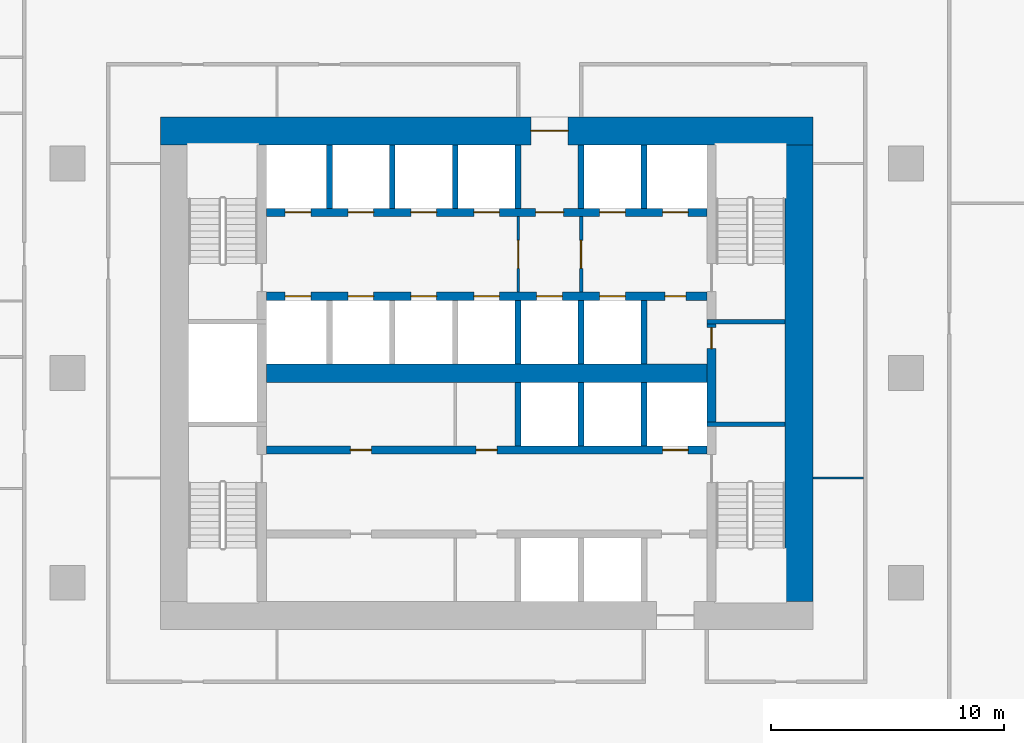
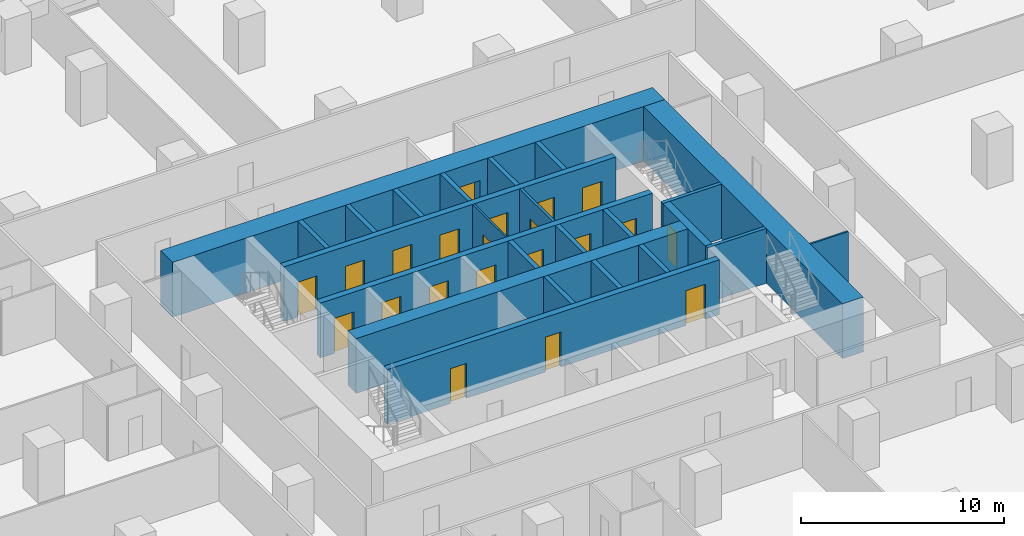
# One storey, part 16 of 25: 24 walls, 21 doors, 21 openings.
"""IFC4 building model written with IfcOpenShell, lengths in metres."""

import ifcopenshell
import ifcopenshell.guid

model = None  # the IFC model being written
_history = None  # IfcOwnerHistory: only IFC2X3 demands one
_inside = {}  # id of a spatial element -> (the spatial element, [elements in it])
_under = {}  # id of a project, library or spatial element -> (it, [spatial elements below it])
_declared = {}  # id of a project -> (the project, [libraries it declares])
_typed = {}  # id of a type object -> (the type object, [elements of that type])
_made_of = {}  # id of a material, layer set ... -> (it, [elements and type objects made of it])


def new_model(schema):
    """Start an empty IFC model of exactly this schema.

    Asked for "IFC4X3", IfcOpenShell would pick the latest addendum, in which some entities
    have other attributes; the version numbers below select the first issue.
    IFC2X3 requires an IfcOwnerHistory on every rooted entity: one is made here for all.
    """
    global model, _history
    if schema == "IFC4X3":
        model = ifcopenshell.file(schema_version=(4, 3, 0, 0))
    else:
        model = ifcopenshell.file(schema=schema)
    _inside.clear()
    _under.clear()
    _declared.clear()
    _typed.clear()
    _made_of.clear()
    _history = None
    if model.schema == "IFC2X3":
        org = make("IfcOrganization", Name="unknown")
        user = make(
            "IfcPersonAndOrganization",
            ThePerson=make("IfcPerson", FamilyName="unknown"),
            TheOrganization=org,
        )
        app = make(
            "IfcApplication",
            ApplicationDeveloper=org,
            Version="unknown",
            ApplicationFullName="unknown",
            ApplicationIdentifier="unknown",
        )
        _history = make(
            "IfcOwnerHistory",
            OwningUser=user,
            OwningApplication=app,
            ChangeAction="ADDED",
            CreationDate=0,
        )
    return model


def make(cls, **values):
    """One entity of the class cls with the attributes given. An attribute that is None is left unset."""
    return model.create_entity(
        cls, **{name: value for name, value in values.items() if value is not None}
    )


def rooted(cls, **values):
    """An entity with a GlobalId (a new one), such as an element, a storey or a relation."""
    return make(cls, GlobalId=ifcopenshell.guid.new(), OwnerHistory=_history, **values)


def si_unit(unit_type, name, prefix=None):
    """IfcSIUnit, for example si_unit("LENGTHUNIT", "METRE", prefix="MILLI")."""
    return make("IfcSIUnit", UnitType=unit_type, Prefix=prefix, Name=name)


def assignment(units):
    """IfcUnitAssignment: the units of a project."""
    return None if units is None else make("IfcUnitAssignment", Units=units)


def point(xyz):
    """IfcCartesianPoint."""
    return None if xyz is None else make("IfcCartesianPoint", Coordinates=xyz)


def direction(xyz):
    """IfcDirection."""
    return None if xyz is None else make("IfcDirection", DirectionRatios=xyz)


def frame(location, z_axis=None, x_axis=None):
    """IfcAxis2Placement3D, a coordinate frame: its origin and axes. An axis left out is left unset."""
    return make(
        "IfcAxis2Placement3D",
        Location=point(location),
        Axis=direction(z_axis),
        RefDirection=direction(x_axis),
    )


def frame_2d(location, x_axis=None):
    """IfcAxis2Placement2D, a coordinate frame in the plane: its origin and x axis."""
    return make(
        "IfcAxis2Placement2D", Location=point(location), RefDirection=direction(x_axis)
    )


def origin():
    """The frame at (0, 0, 0) with its axes left unset."""
    return frame((0.0, 0.0, 0.0))


def place(relative_to, where):
    """IfcLocalPlacement: puts the frame where relative to a parent placement (None: the world)."""
    return make(
        "IfcLocalPlacement", PlacementRelTo=relative_to, RelativePlacement=where
    )


def context(
    kind, dimensions, precision=None, world=None, true_north=None, identifier=None
):
    """IfcGeometricRepresentationContext, for example the 3D "Model" context."""
    return make(
        "IfcGeometricRepresentationContext",
        ContextIdentifier=identifier,
        ContextType=kind,
        CoordinateSpaceDimension=dimensions,
        Precision=precision,
        WorldCoordinateSystem=world,
        TrueNorth=true_north,
    )


def subcontext(parent, identifier, kind, view, scale=None):
    """IfcGeometricRepresentationSubContext, for example "Body" below "Model"."""
    return make(
        "IfcGeometricRepresentationSubContext",
        ContextIdentifier=identifier,
        ContextType=kind,
        ParentContext=parent,
        TargetScale=scale,
        TargetView=view,
    )


def project(units=None, contexts=None):
    """IfcProject with its units and contexts."""
    return rooted(
        "IfcProject",
        Name="project",
        RepresentationContexts=contexts,
        UnitsInContext=assignment(units),
    )


def spatial(cls, under=None, at=None, **own):
    """A site, building, storey or space (cls), placed at a placement, below another one or the project."""
    s = rooted(cls, ObjectPlacement=at, **own)
    if under is not None:
        _under.setdefault(under.id(), (under, []))[1].append(s)
    return s


def profile(cls, at=None, kind="AREA", **sizes):
    """A parametric profile (cls). Its sizes go by their IFC names, for example OverallWidth=200.0."""
    return make(cls, ProfileType=kind, Position=at, **sizes)


def rectangle(**sizes):
    """IfcRectangleProfileDef."""
    return profile("IfcRectangleProfileDef", **sizes)


def extrude(swept, where, along, depth):
    """IfcExtrudedAreaSolid: the profile swept, set in the frame where, extruded along a direction by depth."""
    return make(
        "IfcExtrudedAreaSolid",
        SweptArea=swept,
        Position=where,
        ExtrudedDirection=direction(along),
        Depth=depth,
    )


def shape(context_of_items, identifier, shape_type, items):
    """IfcShapeRepresentation: the items that make up one representation, for example the "Body"."""
    return make(
        "IfcShapeRepresentation",
        ContextOfItems=context_of_items,
        RepresentationIdentifier=identifier,
        RepresentationType=shape_type,
        Items=items,
    )


def material(Name=None, Category=None):
    """IfcMaterial."""
    return make("IfcMaterial", Name=Name, Category=Category)


def layer(
    of_material, thickness, ventilated=None, Name=None, Category=None, Priority=None
):
    """IfcMaterialLayer: one layer of a wall or slab, of a material (None: an air gap)."""
    return make(
        "IfcMaterialLayer",
        Material=of_material,
        LayerThickness=thickness,
        IsVentilated=ventilated,
        Name=Name,
        Category=Category,
        Priority=Priority,
    )


def layer_set(layers, Name=None):
    """IfcMaterialLayerSet."""
    return make("IfcMaterialLayerSet", MaterialLayers=layers, LayerSetName=Name)


def made_of(thing, what):
    """Note that an element or type object is made of a material, layer set ...; save() writes the relation."""
    if what is not None:
        _made_of.setdefault(what.id(), (what, []))[1].append(thing)
    return thing


def type_object(cls, material=None, **own):
    """A type object (cls), such as IfcWallType, which elements share."""
    return made_of(rooted(cls, **own), material)


def element(
    cls,
    number,
    at=None,
    inside=None,
    cuts=None,
    type_object=None,
    material=None,
    context=None,
    identifier="Body",
    shape_type=None,
    held_by="IfcProductDefinitionShape",
    body=None,
    shapes=None,
    **own,
):
    """One element of the class cls, such as IfcWall. Its Tag is "e" and its number.

    at: its placement. inside: the storey or other place that contains it. cuts: it is an
    opening in that element (IfcRelVoidsElement). A single representation is given by context,
    identifier, shape_type and body (its items); several are given by shapes. held_by: the class
    of the entity that holds the representations. save() writes the other relations.
    """
    e = rooted(cls, Tag="e%d" % number, ObjectPlacement=at, **own)
    if body is not None:
        shapes = [shape(context, identifier, shape_type, body)]
    if shapes is not None:
        e.Representation = make(held_by, Representations=shapes)
    if inside is not None:
        _inside.setdefault(inside.id(), (inside, []))[1].append(e)
    if cuts is not None:
        rooted(
            "IfcRelVoidsElement", RelatingBuildingElement=cuts, RelatedOpeningElement=e
        )
    if type_object is not None:
        _typed.setdefault(type_object.id(), (type_object, []))[1].append(e)
    return made_of(e, material)


def fill(opening, filler):
    """IfcRelFillsElement: the door or window that sits in an opening."""
    return rooted(
        "IfcRelFillsElement",
        RelatingOpeningElement=opening,
        RelatedBuildingElement=filler,
    )


def aggregate(whole, parts):
    """IfcRelAggregates: a whole, such as a stair, and the parts it consists of."""
    return rooted("IfcRelAggregates", RelatingObject=whole, RelatedObjects=parts)


def save(model, path):
    """Write the relations noted so far, then the file.

    IfcRelAggregates (storeys below a building ...), IfcRelContainedInSpatialStructure (elements
    in a storey), IfcRelDefinesByType, IfcRelAssociatesMaterial and IfcRelDeclares: one each for
    every whole, place, type object, material and project.
    """
    for whole, parts in _under.values():
        aggregate(whole, parts)
    for where, things in _inside.values():
        rooted(
            "IfcRelContainedInSpatialStructure",
            RelatedElements=things,
            RelatingStructure=where,
        )
    for kind, things in _typed.values():
        rooted("IfcRelDefinesByType", RelatedObjects=things, RelatingType=kind)
    for what, things in _made_of.values():
        rooted("IfcRelAssociatesMaterial", RelatedObjects=things, RelatingMaterial=what)
    for by, libraries in _declared.values():
        rooted("IfcRelDeclares", RelatingContext=by, RelatedDefinitions=libraries)
    model.write(path)


model = new_model("IFC4")

# Units and contexts
model_context = context("Model", 3, precision=1e-05, world=origin(), true_north=direction((0.0, 1.0)))
body_context = subcontext(model_context, "Body", "Model", "MODEL_VIEW")
ifc_project = project(units=[si_unit("LENGTHUNIT", "METRE"), si_unit("AREAUNIT", "SQUARE_METRE"), si_unit("VOLUMEUNIT", "CUBIC_METRE"), si_unit("PLANEANGLEUNIT", "RADIAN"), si_unit("MASSUNIT", "GRAM", prefix="KILO")], contexts=[model_context])

# Site, building, storey
site_placement = place(None, origin())
site = spatial("IfcSite", under=ifc_project, at=site_placement, CompositionType="ELEMENT")
building_placement = place(site_placement, origin())
building = spatial("IfcBuilding", under=site, at=building_placement, Name="Dongbaek Canopy Tower", CompositionType="ELEMENT")
storey_placement = place(building_placement, frame((0.0, 0.0, 77.300048828125)))
storey = spatial("IfcBuildingStorey", under=building, at=storey_placement, Name="L15", CompositionType="ELEMENT", Elevation=77.300048828125)

# Wall
ifc_material_1 = material(Name="Concrete C60/75", Category="concrete")
ifc_layer_1 = layer(ifc_material_1, 0.800048828125)
ifc_layer_set_1 = layer_set([ifc_layer_1], Name="Core central wall 800 Concrete C60/75")
wall_type_1 = type_object("IfcWallType", Name="Core central wall 800 Concrete C60/75", PredefinedType="SHEAR", material=ifc_layer_set_1)
wall_1_placement = place(storey_placement, frame((-9.449951171875, 0.0, 0.0), z_axis=(0.0, 0.0, 1.0), x_axis=(1.0, 0.0, 0.0)))
element("IfcWall", 1, at=wall_1_placement, inside=storey, type_object=wall_type_1, Name="Core wall", PredefinedType="SHEAR", context=body_context, shape_type="SweptSolid", body=[
    extrude(rectangle(XDim=18.89990234375, YDim=0.800048828125, at=frame_2d((9.449951171875, 0.0))), origin(), (0.0, 0.0, 1.0), 3.300048828125),
])

# Wall, openings, doors
ifc_material_2 = material(Name="Concrete C60/75", Category="concrete")
ifc_layer_2 = layer(ifc_material_2, 0.35009765625)
ifc_layer_set_2 = layer_set([ifc_layer_2], Name="Core lobby wall 350 Concrete C60/75")
wall_type_2 = type_object("IfcWallType", Name="Core lobby wall 350 Concrete C60/75", PredefinedType="SHEAR", material=ifc_layer_set_2)
wall_2_placement = place(storey_placement, frame((-9.449951171875, 6.89990234375, 0.0), z_axis=(0.0, 0.0, 1.0), x_axis=(1.0, 0.0, 0.0)))
wall_2 = element("IfcWall", 2, at=wall_2_placement, inside=storey, type_object=wall_type_2, Name="Core wall", PredefinedType="SHEAR", context=body_context, shape_type="SweptSolid", body=[
    extrude(rectangle(XDim=18.89990234375, YDim=0.35009765625, at=frame_2d((9.449951171875, 0.0))), origin(), (0.0, 0.0, 1.0), 3.300048828125),
])
opening_1_placement = place(wall_2_placement, frame((0.800048828125, 0.0, 0.0)))
opening_1 = element("IfcOpeningElement", 3, at=opening_1_placement, cuts=wall_2, Name="Opening L15-D023", PredefinedType="OPENING", context=body_context, shape_type="SweptSolid", body=[
    extrude(rectangle(XDim=1.10009765625, YDim=2.10009765625, at=frame_2d((0.550048828125, 1.050048828125))), frame((0.0, 0.18505859375, 0.0), z_axis=(0.0, -1.0, 0.0), x_axis=(1.0, 0.0, 0.0)), (0.0, 0.0, 1.0), 0.3701171875),
])
opening_2_placement = place(wall_2_placement, frame((3.5, 0.0, 0.0)))
opening_2 = element("IfcOpeningElement", 4, at=opening_2_placement, cuts=wall_2, Name="Opening L15-D024", PredefinedType="OPENING", context=body_context, shape_type="SweptSolid", body=[
    extrude(rectangle(XDim=1.10009765625, YDim=2.10009765625, at=frame_2d((0.550048828125, 1.050048828125))), frame((0.0, 0.18505859375, 0.0), z_axis=(0.0, -1.0, 0.0), x_axis=(1.0, 0.0, 0.0)), (0.0, 0.0, 1.0), 0.3701171875),
])
opening_3_placement = place(wall_2_placement, frame((6.199951171875, 0.0, 0.0)))
opening_3 = element("IfcOpeningElement", 5, at=opening_3_placement, cuts=wall_2, Name="Opening L15-D025", PredefinedType="OPENING", context=body_context, shape_type="SweptSolid", body=[
    extrude(rectangle(XDim=1.10009765625, YDim=2.10009765625, at=frame_2d((0.550048828125, 1.050048828125))), frame((0.0, 0.18505859375, 0.0), z_axis=(0.0, -1.0, 0.0), x_axis=(1.0, 0.0, 0.0)), (0.0, 0.0, 1.0), 0.3701171875),
])
opening_4_placement = place(wall_2_placement, frame((8.89990234375, 0.0, 0.0)))
opening_4 = element("IfcOpeningElement", 6, at=opening_4_placement, cuts=wall_2, Name="Opening L15-D026", PredefinedType="OPENING", context=body_context, shape_type="SweptSolid", body=[
    extrude(rectangle(XDim=1.10009765625, YDim=2.10009765625, at=frame_2d((0.550048828125, 1.050048828125))), frame((0.0, 0.18505859375, 0.0), z_axis=(0.0, -1.0, 0.0), x_axis=(1.0, 0.0, 0.0)), (0.0, 0.0, 1.0), 0.3701171875),
])
opening_5_placement = place(wall_2_placement, frame((11.550048828125, 0.0, 0.0)))
opening_5 = element("IfcOpeningElement", 7, at=opening_5_placement, cuts=wall_2, Name="Opening L15-D028", PredefinedType="OPENING", context=body_context, shape_type="SweptSolid", body=[
    extrude(rectangle(XDim=1.199951171875, YDim=2.10009765625, at=frame_2d((0.60009765625, 1.050048828125))), frame((0.0, 0.18505859375, 0.0), z_axis=(0.0, -1.0, 0.0), x_axis=(1.0, 0.0, 0.0)), (0.0, 0.0, 1.0), 0.3701171875),
])
opening_6_placement = place(wall_2_placement, frame((14.300048828125, 0.0, 0.0)))
opening_6 = element("IfcOpeningElement", 8, at=opening_6_placement, cuts=wall_2, Name="Opening L15-D029", PredefinedType="OPENING", context=body_context, shape_type="SweptSolid", body=[
    extrude(rectangle(XDim=1.10009765625, YDim=2.10009765625, at=frame_2d((0.550048828125, 1.050048828125))), frame((0.0, 0.18505859375, 0.0), z_axis=(0.0, -1.0, 0.0), x_axis=(1.0, 0.0, 0.0)), (0.0, 0.0, 1.0), 0.3701171875),
])
opening_7_placement = place(wall_2_placement, frame((17.0, 0.0, 0.0)))
opening_7 = element("IfcOpeningElement", 9, at=opening_7_placement, cuts=wall_2, Name="Opening L15-D030", PredefinedType="OPENING", context=body_context, shape_type="SweptSolid", body=[
    extrude(rectangle(XDim=1.10009765625, YDim=2.10009765625, at=frame_2d((0.550048828125, 1.050048828125))), frame((0.0, 0.18505859375, 0.0), z_axis=(0.0, -1.0, 0.0), x_axis=(1.0, 0.0, 0.0)), (0.0, 0.0, 1.0), 0.3701171875),
])
ifc_material_3 = material(Name="Steel", Category="steel")
door_type_1 = type_object("IfcDoorType", Name="Fire lobby door 1200 x 2100", OperationType="SINGLE_SWING_LEFT", PredefinedType="DOOR", material=ifc_material_3)
door_1_placement = place(opening_5_placement, origin())
door_1 = element("IfcDoor", 10, at=door_1_placement, inside=storey, type_object=door_type_1, Name="Door L15-D028", OperationType="SINGLE_SWING_LEFT", OverallHeight=2.10009765625, OverallWidth=1.199951171875, PredefinedType="DOOR", context=body_context, shape_type="SweptSolid", body=[
    extrude(rectangle(XDim=1.199951171875, YDim=2.10009765625, at=frame_2d((0.60009765625, 1.050048828125))), frame((0.0, 0.02490234375, 0.0), z_axis=(0.0, -1.0, 0.0), x_axis=(1.0, 0.0, 0.0)), (0.0, 0.0, 1.0), 0.050048828125),
])
fill(opening_5, door_1)
ifc_material_4 = material(Name="Stainless steel", Category="steel")
door_type_2 = type_object("IfcDoorType", Name="Lift landing door 1100 x 2100", OperationType="DOUBLE_DOOR_SLIDING", PredefinedType="DOOR", material=ifc_material_4)
door_2_placement = place(opening_1_placement, origin())
door_2 = element("IfcDoor", 11, at=door_2_placement, inside=storey, type_object=door_type_2, Name="Landing door LR1", OperationType="DOUBLE_DOOR_SLIDING", OverallHeight=2.10009765625, OverallWidth=1.10009765625, PredefinedType="DOOR", context=body_context, shape_type="SweptSolid", body=[
    extrude(rectangle(XDim=1.10009765625, YDim=2.10009765625, at=frame_2d((0.550048828125, 1.050048828125))), frame((0.0, 0.02490234375, 0.0), z_axis=(0.0, -1.0, 0.0), x_axis=(1.0, 0.0, 0.0)), (0.0, 0.0, 1.0), 0.050048828125),
])
fill(opening_1, door_2)
door_3_placement = place(opening_2_placement, origin())
door_3 = element("IfcDoor", 12, at=door_3_placement, inside=storey, type_object=door_type_2, Name="Landing door LR2", OperationType="DOUBLE_DOOR_SLIDING", OverallHeight=2.10009765625, OverallWidth=1.10009765625, PredefinedType="DOOR", context=body_context, shape_type="SweptSolid", body=[
    extrude(rectangle(XDim=1.10009765625, YDim=2.10009765625, at=frame_2d((0.550048828125, 1.050048828125))), frame((0.0, 0.02490234375, 0.0), z_axis=(0.0, -1.0, 0.0), x_axis=(1.0, 0.0, 0.0)), (0.0, 0.0, 1.0), 0.050048828125),
])
fill(opening_2, door_3)
door_4_placement = place(opening_3_placement, origin())
door_4 = element("IfcDoor", 13, at=door_4_placement, inside=storey, type_object=door_type_2, Name="Landing door LR3", OperationType="DOUBLE_DOOR_SLIDING", OverallHeight=2.10009765625, OverallWidth=1.10009765625, PredefinedType="DOOR", context=body_context, shape_type="SweptSolid", body=[
    extrude(rectangle(XDim=1.10009765625, YDim=2.10009765625, at=frame_2d((0.550048828125, 1.050048828125))), frame((0.0, 0.02490234375, 0.0), z_axis=(0.0, -1.0, 0.0), x_axis=(1.0, 0.0, 0.0)), (0.0, 0.0, 1.0), 0.050048828125),
])
fill(opening_3, door_4)
door_5_placement = place(opening_4_placement, origin())
door_5 = element("IfcDoor", 14, at=door_5_placement, inside=storey, type_object=door_type_2, Name="Landing door LR4", OperationType="DOUBLE_DOOR_SLIDING", OverallHeight=2.10009765625, OverallWidth=1.10009765625, PredefinedType="DOOR", context=body_context, shape_type="SweptSolid", body=[
    extrude(rectangle(XDim=1.10009765625, YDim=2.10009765625, at=frame_2d((0.550048828125, 1.050048828125))), frame((0.0, 0.02490234375, 0.0), z_axis=(0.0, -1.0, 0.0), x_axis=(1.0, 0.0, 0.0)), (0.0, 0.0, 1.0), 0.050048828125),
])
fill(opening_4, door_5)
door_6_placement = place(opening_6_placement, origin())
door_6 = element("IfcDoor", 15, at=door_6_placement, inside=storey, type_object=door_type_2, Name="Landing door FF1", OperationType="DOUBLE_DOOR_SLIDING", OverallHeight=2.10009765625, OverallWidth=1.10009765625, PredefinedType="DOOR", context=body_context, shape_type="SweptSolid", body=[
    extrude(rectangle(XDim=1.10009765625, YDim=2.10009765625, at=frame_2d((0.550048828125, 1.050048828125))), frame((0.0, 0.02490234375, 0.0), z_axis=(0.0, -1.0, 0.0), x_axis=(1.0, 0.0, 0.0)), (0.0, 0.0, 1.0), 0.050048828125),
])
fill(opening_6, door_6)
door_7_placement = place(opening_7_placement, origin())
door_7 = element("IfcDoor", 16, at=door_7_placement, inside=storey, type_object=door_type_2, Name="Landing door FF2", OperationType="DOUBLE_DOOR_SLIDING", OverallHeight=2.10009765625, OverallWidth=1.10009765625, PredefinedType="DOOR", context=body_context, shape_type="SweptSolid", body=[
    extrude(rectangle(XDim=1.10009765625, YDim=2.10009765625, at=frame_2d((0.550048828125, 1.050048828125))), frame((0.0, 0.02490234375, 0.0), z_axis=(0.0, -1.0, 0.0), x_axis=(1.0, 0.0, 0.0)), (0.0, 0.0, 1.0), 0.050048828125),
])
fill(opening_7, door_7)

wall_3_placement = place(storey_placement, frame((9.449951171875, 3.300048828125, 0.0), z_axis=(0.0, 0.0, 1.0), x_axis=(-1.0, 0.0, 0.0)))
wall_3 = element("IfcWall", 17, at=wall_3_placement, inside=storey, type_object=wall_type_2, Name="Core wall", PredefinedType="SHEAR", context=body_context, shape_type="SweptSolid", body=[
    extrude(rectangle(XDim=18.89990234375, YDim=0.35009765625, at=frame_2d((9.449951171875, 0.0))), origin(), (0.0, 0.0, 1.0), 3.300048828125),
])
opening_8_placement = place(wall_3_placement, frame((17.0, 0.0, 0.0)))
opening_8 = element("IfcOpeningElement", 18, at=opening_8_placement, cuts=wall_3, Name="Opening L15-D031", PredefinedType="OPENING", context=body_context, shape_type="SweptSolid", body=[
    extrude(rectangle(XDim=1.10009765625, YDim=2.10009765625, at=frame_2d((0.550048828125, 1.050048828125))), frame((0.0, 0.18505859375, 0.0), z_axis=(0.0, -1.0, 0.0), x_axis=(1.0, 0.0, 0.0)), (0.0, 0.0, 1.0), 0.3701171875),
])
opening_9_placement = place(wall_3_placement, frame((14.300048828125, 0.0, 0.0)))
opening_9 = element("IfcOpeningElement", 19, at=opening_9_placement, cuts=wall_3, Name="Opening L15-D032", PredefinedType="OPENING", context=body_context, shape_type="SweptSolid", body=[
    extrude(rectangle(XDim=1.10009765625, YDim=2.10009765625, at=frame_2d((0.550048828125, 1.050048828125))), frame((0.0, 0.18505859375, 0.0), z_axis=(0.0, -1.0, 0.0), x_axis=(1.0, 0.0, 0.0)), (0.0, 0.0, 1.0), 0.3701171875),
])
opening_10_placement = place(wall_3_placement, frame((11.60009765625, 0.0, 0.0)))
opening_10 = element("IfcOpeningElement", 20, at=opening_10_placement, cuts=wall_3, Name="Opening L15-D033", PredefinedType="OPENING", context=body_context, shape_type="SweptSolid", body=[
    extrude(rectangle(XDim=1.10009765625, YDim=2.10009765625, at=frame_2d((0.550048828125, 1.050048828125))), frame((0.0, 0.18505859375, 0.0), z_axis=(0.0, -1.0, 0.0), x_axis=(1.0, 0.0, 0.0)), (0.0, 0.0, 1.0), 0.3701171875),
])
opening_11_placement = place(wall_3_placement, frame((8.89990234375, 0.0, 0.0)))
opening_11 = element("IfcOpeningElement", 21, at=opening_11_placement, cuts=wall_3, Name="Opening L15-D034", PredefinedType="OPENING", context=body_context, shape_type="SweptSolid", body=[
    extrude(rectangle(XDim=1.10009765625, YDim=2.10009765625, at=frame_2d((0.550048828125, 1.050048828125))), frame((0.0, 0.18505859375, 0.0), z_axis=(0.0, -1.0, 0.0), x_axis=(1.0, 0.0, 0.0)), (0.0, 0.0, 1.0), 0.3701171875),
])
opening_12_placement = place(wall_3_placement, frame((6.199951171875, 0.0, 0.0)))
opening_12 = element("IfcOpeningElement", 22, at=opening_12_placement, cuts=wall_3, Name="Opening L15-D035", PredefinedType="OPENING", context=body_context, shape_type="SweptSolid", body=[
    extrude(rectangle(XDim=1.10009765625, YDim=2.10009765625, at=frame_2d((0.550048828125, 1.050048828125))), frame((0.0, 0.18505859375, 0.0), z_axis=(0.0, -1.0, 0.0), x_axis=(1.0, 0.0, 0.0)), (0.0, 0.0, 1.0), 0.3701171875),
])
opening_13_placement = place(wall_3_placement, frame((3.5, 0.0, 0.0)))
opening_13 = element("IfcOpeningElement", 23, at=opening_13_placement, cuts=wall_3, Name="Opening L15-D036", PredefinedType="OPENING", context=body_context, shape_type="SweptSolid", body=[
    extrude(rectangle(XDim=1.10009765625, YDim=2.10009765625, at=frame_2d((0.550048828125, 1.050048828125))), frame((0.0, 0.18505859375, 0.0), z_axis=(0.0, -1.0, 0.0), x_axis=(1.0, 0.0, 0.0)), (0.0, 0.0, 1.0), 0.3701171875),
])
opening_14_placement = place(wall_3_placement, frame((0.89990234375, 0.0, 0.0)))
opening_14 = element("IfcOpeningElement", 24, at=opening_14_placement, cuts=wall_3, Name="Opening L15-D037", PredefinedType="OPENING", context=body_context, shape_type="SweptSolid", body=[
    extrude(rectangle(XDim=0.89990234375, YDim=2.10009765625, at=frame_2d((0.449951171875, 1.050048828125))), frame((0.0, 0.18505859375, 0.0), z_axis=(0.0, -1.0, 0.0), x_axis=(1.0, 0.0, 0.0)), (0.0, 0.0, 1.0), 0.3701171875),
])
ifc_material_5 = material(Name="Steel", Category="steel")
door_type_3 = type_object("IfcDoorType", Name="Core room door 900 x 2100", OperationType="SINGLE_SWING_LEFT", PredefinedType="DOOR", material=ifc_material_5)
door_8_placement = place(opening_14_placement, origin())
door_8 = element("IfcDoor", 25, at=door_8_placement, inside=storey, type_object=door_type_3, Name="Door L15-D037", OperationType="SINGLE_SWING_LEFT", OverallHeight=2.10009765625, OverallWidth=0.89990234375, PredefinedType="DOOR", context=body_context, shape_type="SweptSolid", body=[
    extrude(rectangle(XDim=0.89990234375, YDim=2.10009765625, at=frame_2d((0.449951171875, 1.050048828125))), frame((0.0, 0.02490234375, 0.0), z_axis=(0.0, -1.0, 0.0), x_axis=(1.0, 0.0, 0.0)), (0.0, 0.0, 1.0), 0.050048828125),
])
fill(opening_14, door_8)
door_9_placement = place(opening_8_placement, origin())
door_9 = element("IfcDoor", 26, at=door_9_placement, inside=storey, type_object=door_type_2, Name="Landing door LR5", OperationType="DOUBLE_DOOR_SLIDING", OverallHeight=2.10009765625, OverallWidth=1.10009765625, PredefinedType="DOOR", context=body_context, shape_type="SweptSolid", body=[
    extrude(rectangle(XDim=1.10009765625, YDim=2.10009765625, at=frame_2d((0.550048828125, 1.050048828125))), frame((0.0, 0.02490234375, 0.0), z_axis=(0.0, -1.0, 0.0), x_axis=(1.0, 0.0, 0.0)), (0.0, 0.0, 1.0), 0.050048828125),
])
fill(opening_8, door_9)
door_10_placement = place(opening_9_placement, origin())
door_10 = element("IfcDoor", 27, at=door_10_placement, inside=storey, type_object=door_type_2, Name="Landing door LR6", OperationType="DOUBLE_DOOR_SLIDING", OverallHeight=2.10009765625, OverallWidth=1.10009765625, PredefinedType="DOOR", context=body_context, shape_type="SweptSolid", body=[
    extrude(rectangle(XDim=1.10009765625, YDim=2.10009765625, at=frame_2d((0.550048828125, 1.050048828125))), frame((0.0, 0.02490234375, 0.0), z_axis=(0.0, -1.0, 0.0), x_axis=(1.0, 0.0, 0.0)), (0.0, 0.0, 1.0), 0.050048828125),
])
fill(opening_9, door_10)
door_11_placement = place(opening_10_placement, origin())
door_11 = element("IfcDoor", 28, at=door_11_placement, inside=storey, type_object=door_type_2, Name="Landing door LR7", OperationType="DOUBLE_DOOR_SLIDING", OverallHeight=2.10009765625, OverallWidth=1.10009765625, PredefinedType="DOOR", context=body_context, shape_type="SweptSolid", body=[
    extrude(rectangle(XDim=1.10009765625, YDim=2.10009765625, at=frame_2d((0.550048828125, 1.050048828125))), frame((0.0, 0.02490234375, 0.0), z_axis=(0.0, -1.0, 0.0), x_axis=(1.0, 0.0, 0.0)), (0.0, 0.0, 1.0), 0.050048828125),
])
fill(opening_10, door_11)
door_12_placement = place(opening_11_placement, origin())
door_12 = element("IfcDoor", 29, at=door_12_placement, inside=storey, type_object=door_type_2, Name="Landing door LR8", OperationType="DOUBLE_DOOR_SLIDING", OverallHeight=2.10009765625, OverallWidth=1.10009765625, PredefinedType="DOOR", context=body_context, shape_type="SweptSolid", body=[
    extrude(rectangle(XDim=1.10009765625, YDim=2.10009765625, at=frame_2d((0.550048828125, 1.050048828125))), frame((0.0, 0.02490234375, 0.0), z_axis=(0.0, -1.0, 0.0), x_axis=(1.0, 0.0, 0.0)), (0.0, 0.0, 1.0), 0.050048828125),
])
fill(opening_11, door_12)
door_13_placement = place(opening_12_placement, origin())
door_13 = element("IfcDoor", 30, at=door_13_placement, inside=storey, type_object=door_type_2, Name="Landing door SV1", OperationType="DOUBLE_DOOR_SLIDING", OverallHeight=2.10009765625, OverallWidth=1.10009765625, PredefinedType="DOOR", context=body_context, shape_type="SweptSolid", body=[
    extrude(rectangle(XDim=1.10009765625, YDim=2.10009765625, at=frame_2d((0.550048828125, 1.050048828125))), frame((0.0, 0.02490234375, 0.0), z_axis=(0.0, -1.0, 0.0), x_axis=(1.0, 0.0, 0.0)), (0.0, 0.0, 1.0), 0.050048828125),
])
fill(opening_12, door_13)
door_14_placement = place(opening_13_placement, origin())
door_14 = element("IfcDoor", 31, at=door_14_placement, inside=storey, type_object=door_type_2, Name="Landing door FF3", OperationType="DOUBLE_DOOR_SLIDING", OverallHeight=2.10009765625, OverallWidth=1.10009765625, PredefinedType="DOOR", context=body_context, shape_type="SweptSolid", body=[
    extrude(rectangle(XDim=1.10009765625, YDim=2.10009765625, at=frame_2d((0.550048828125, 1.050048828125))), frame((0.0, 0.02490234375, 0.0), z_axis=(0.0, -1.0, 0.0), x_axis=(1.0, 0.0, 0.0)), (0.0, 0.0, 1.0), 0.050048828125),
])
fill(opening_13, door_14)

wall_4_placement = place(storey_placement, frame((-9.449951171875, -3.300048828125, 0.0), z_axis=(0.0, 0.0, 1.0), x_axis=(1.0, 0.0, 0.0)))
wall_4 = element("IfcWall", 32, at=wall_4_placement, inside=storey, type_object=wall_type_2, Name="Core wall", PredefinedType="SHEAR", context=body_context, shape_type="SweptSolid", body=[
    extrude(rectangle(XDim=18.89990234375, YDim=0.35009765625, at=frame_2d((9.449951171875, 0.0))), origin(), (0.0, 0.0, 1.0), 3.300048828125),
])
opening_15_placement = place(wall_4_placement, frame((17.0, 0.0, 0.0)))
opening_15 = element("IfcOpeningElement", 33, at=opening_15_placement, cuts=wall_4, Name="Opening L15-D038", PredefinedType="OPENING", context=body_context, shape_type="SweptSolid", body=[
    extrude(rectangle(XDim=1.10009765625, YDim=2.10009765625, at=frame_2d((0.550048828125, 1.050048828125))), frame((0.0, 0.18505859375, 0.0), z_axis=(0.0, -1.0, 0.0), x_axis=(1.0, 0.0, 0.0)), (0.0, 0.0, 1.0), 0.3701171875),
])
opening_16_placement = place(wall_4_placement, frame((3.60009765625, 0.0, 0.0)))
opening_16 = element("IfcOpeningElement", 34, at=opening_16_placement, cuts=wall_4, Name="Opening L15-D041", PredefinedType="OPENING", context=body_context, shape_type="SweptSolid", body=[
    extrude(rectangle(XDim=0.89990234375, YDim=2.10009765625, at=frame_2d((0.449951171875, 1.050048828125))), frame((0.0, 0.18505859375, 0.0), z_axis=(0.0, -1.0, 0.0), x_axis=(1.0, 0.0, 0.0)), (0.0, 0.0, 1.0), 0.3701171875),
])
opening_17_placement = place(wall_4_placement, frame((9.0, 0.0, 0.0)))
opening_17 = element("IfcOpeningElement", 35, at=opening_17_placement, cuts=wall_4, Name="Opening L15-D042", PredefinedType="OPENING", context=body_context, shape_type="SweptSolid", body=[
    extrude(rectangle(XDim=0.89990234375, YDim=2.10009765625, at=frame_2d((0.449951171875, 1.050048828125))), frame((0.0, 0.18505859375, 0.0), z_axis=(0.0, -1.0, 0.0), x_axis=(1.0, 0.0, 0.0)), (0.0, 0.0, 1.0), 0.3701171875),
])
door_15_placement = place(opening_16_placement, origin())
door_15 = element("IfcDoor", 36, at=door_15_placement, inside=storey, type_object=door_type_3, Name="Door L15-D041", OperationType="SINGLE_SWING_RIGHT", OverallHeight=2.10009765625, OverallWidth=0.89990234375, PredefinedType="DOOR", context=body_context, shape_type="SweptSolid", body=[
    extrude(rectangle(XDim=0.89990234375, YDim=2.10009765625, at=frame_2d((0.449951171875, 1.050048828125))), frame((0.0, 0.02490234375, 0.0), z_axis=(0.0, -1.0, 0.0), x_axis=(1.0, 0.0, 0.0)), (0.0, 0.0, 1.0), 0.050048828125),
])
fill(opening_16, door_15)
door_16_placement = place(opening_17_placement, origin())
door_16 = element("IfcDoor", 37, at=door_16_placement, inside=storey, type_object=door_type_3, Name="Door L15-D042", OperationType="SINGLE_SWING_LEFT", OverallHeight=2.10009765625, OverallWidth=0.89990234375, PredefinedType="DOOR", context=body_context, shape_type="SweptSolid", body=[
    extrude(rectangle(XDim=0.89990234375, YDim=2.10009765625, at=frame_2d((0.449951171875, 1.050048828125))), frame((0.0, 0.02490234375, 0.0), z_axis=(0.0, -1.0, 0.0), x_axis=(1.0, 0.0, 0.0)), (0.0, 0.0, 1.0), 0.050048828125),
])
fill(opening_17, door_16)
door_17_placement = place(opening_15_placement, origin())
door_17 = element("IfcDoor", 38, at=door_17_placement, inside=storey, type_object=door_type_2, Name="Landing door SV2", OperationType="DOUBLE_DOOR_SLIDING", OverallHeight=2.10009765625, OverallWidth=1.10009765625, PredefinedType="DOOR", context=body_context, shape_type="SweptSolid", body=[
    extrude(rectangle(XDim=1.10009765625, YDim=2.10009765625, at=frame_2d((0.550048828125, 1.050048828125))), frame((0.0, 0.02490234375, 0.0), z_axis=(0.0, -1.0, 0.0), x_axis=(1.0, 0.0, 0.0)), (0.0, 0.0, 1.0), 0.050048828125),
])
fill(opening_15, door_17)

# Wall, opening, door
ifc_material_6 = material(Name="Concrete C60/75", Category="concrete")
ifc_layer_3 = layer(ifc_material_6, 1.199951171875)
ifc_layer_set_3 = layer_set([ifc_layer_3], Name="Core outer wall 1200 Concrete C60/75")
wall_type_3 = type_object("IfcWallType", Name="Core outer wall 1200 Concrete C60/75", PredefinedType="SHEAR", material=ifc_layer_set_3)
wall_5_placement = place(storey_placement, frame((-14.0, 10.39990234375, 0.0), z_axis=(0.0, 0.0, 1.0), x_axis=(1.0, 0.0, 0.0)))
wall_5 = element("IfcWall", 39, at=wall_5_placement, inside=storey, type_object=wall_type_3, Name="Core wall", PredefinedType="SHEAR", context=body_context, shape_type="SweptSolid", body=[
    extrude(rectangle(XDim=28.0, YDim=1.199951171875, at=frame_2d((14.0, 0.0))), origin(), (0.0, 0.0, 1.0), 3.300048828125),
])
opening_18_placement = place(wall_5_placement, frame((15.89990234375, 0.0, 0.0)))
opening_18 = element("IfcOpeningElement", 40, at=opening_18_placement, cuts=wall_5, Name="Opening L15-D027", PredefinedType="OPENING", context=body_context, shape_type="SweptSolid", body=[
    extrude(rectangle(XDim=1.60009765625, YDim=2.10009765625, at=frame_2d((0.800048828125, 1.050048828125))), frame((0.0, 0.60986328125, 0.0), z_axis=(0.0, -1.0, 0.0), x_axis=(1.0, 0.0, 0.0)), (0.0, 0.0, 1.0), 1.219970703125),
])
ifc_material_7 = material(Name="Steel", Category="steel")
door_type_4 = type_object("IfcDoorType", Name="Core exit door 1600 x 2100", OperationType="DOUBLE_DOOR_SINGLE_SWING", PredefinedType="DOOR", material=ifc_material_7)
door_18_placement = place(opening_18_placement, origin())
door_18 = element("IfcDoor", 41, at=door_18_placement, inside=storey, type_object=door_type_4, Name="Core exit door", OperationType="DOUBLE_DOOR_SINGLE_SWING", OverallHeight=2.10009765625, OverallWidth=1.60009765625, PredefinedType="DOOR", context=body_context, shape_type="SweptSolid", body=[
    extrude(rectangle(XDim=1.60009765625, YDim=2.10009765625, at=frame_2d((0.800048828125, 1.050048828125))), frame((0.0, 0.02490234375, 0.0), z_axis=(0.0, -1.0, 0.0), x_axis=(1.0, 0.0, 0.0)), (0.0, 0.0, 1.0), 0.050048828125),
])
fill(opening_18, door_18)

# Wall
wall_6_placement = place(storey_placement, frame((13.39990234375, 9.800048828125, 0.0), z_axis=(0.0, 0.0, 1.0), x_axis=(0.0, -1.0, 0.0)))
element("IfcWall", 42, at=wall_6_placement, inside=storey, type_object=wall_type_3, Name="Core wall", PredefinedType="SHEAR", context=body_context, shape_type="SweptSolid", body=[
    extrude(rectangle(XDim=19.60009765625, YDim=1.199951171875, at=frame_2d((9.800048828125, 0.0))), origin(), (0.0, 0.0, 1.0), 3.300048828125),
])

# Wall, opening, door
ifc_material_8 = material(Name="Gypsum board partition, steel stud, 2 x 15 mm fire board", Category="steel")
ifc_layer_4 = layer(ifc_material_8, 0.14990234375)
ifc_layer_set_4 = layer_set([ifc_layer_4], Name="Fire-rated partition 150 gypsum board")
wall_type_4 = type_object("IfcWallType", Name="Fire-rated partition 150 gypsum board", PredefinedType="PARTITIONING", material=ifc_layer_set_4)
wall_7_placement = place(storey_placement, frame((4.050048828125, 6.72509765625, 0.0), z_axis=(0.0, 0.0, 1.0), x_axis=(0.0, -1.0, 0.0)))
wall_7 = element("IfcWall", 43, at=wall_7_placement, inside=storey, type_object=wall_type_4, Name="Fire lobby partition", PredefinedType="PARTITIONING", context=body_context, shape_type="SweptSolid", body=[
    extrude(rectangle(XDim=3.25, YDim=0.14990234375, at=frame_2d((1.625, 0.0))), origin(), (0.0, 0.0, 1.0), 3.300048828125),
])
opening_19_placement = place(wall_7_placement, frame((1.02490234375, 0.0, 0.0)))
opening_19 = element("IfcOpeningElement", 44, at=opening_19_placement, cuts=wall_7, Name="Opening L15-D050", PredefinedType="OPENING", context=body_context, shape_type="SweptSolid", body=[
    extrude(rectangle(XDim=1.199951171875, YDim=2.10009765625, at=frame_2d((0.60009765625, 1.050048828125))), frame((0.0, 0.0849609375, 0.0), z_axis=(0.0, -1.0, 0.0), x_axis=(1.0, 0.0, 0.0)), (0.0, 0.0, 1.0), 0.169921875),
])
door_19_placement = place(opening_19_placement, origin())
door_19 = element("IfcDoor", 45, at=door_19_placement, inside=storey, type_object=door_type_1, Name="Door L15-D050", OperationType="SINGLE_SWING_RIGHT", OverallHeight=2.10009765625, OverallWidth=1.199951171875, PredefinedType="DOOR", context=body_context, shape_type="SweptSolid", body=[
    extrude(rectangle(XDim=1.199951171875, YDim=2.10009765625, at=frame_2d((0.60009765625, 1.050048828125))), frame((0.0, 0.02490234375, 0.0), z_axis=(0.0, -1.0, 0.0), x_axis=(1.0, 0.0, 0.0)), (0.0, 0.0, 1.0), 0.050048828125),
])
fill(opening_19, door_19)

# Walls
ifc_material_9 = material(Name="Concrete C40/50", Category="concrete")
ifc_layer_5 = layer(ifc_material_9, 0.25)
ifc_layer_set_5 = layer_set([ifc_layer_5], Name="Lift shaft wall 250 Concrete C40/50")
wall_type_5 = type_object("IfcWallType", Name="Lift shaft wall 250 Concrete C40/50", PredefinedType="SOLIDWALL", material=ifc_layer_set_5)
for number, where, z_axis, x_axis, name in (
    (46, (6.75, -3.125, 0.0), (0.0, 0.0, 1.0), (0.0, 1.0, 0.0), "Lift shaft wall"),
    (47, (6.75, 0.39990234375, 0.0), (0.0, 0.0, 1.0), (0.0, 1.0, 0.0), "Lift shaft wall"),
    (48, (6.75, 7.074951171875, 0.0), (0.0, 0.0, 1.0), (0.0, 1.0, 0.0), "Lift shaft wall"),
    (49, (4.050048828125, -3.125, 0.0), (0.0, 0.0, 1.0), (0.0, 1.0, 0.0), "Lift shaft wall"),
    (50, (4.050048828125, 0.39990234375, 0.0), (0.0, 0.0, 1.0), (0.0, 1.0, 0.0), "Lift shaft wall"),
    (51, (4.050048828125, 7.074951171875, 0.0), (0.0, 0.0, 1.0), (0.0, 1.0, 0.0), "Lift shaft wall"),
    (52, (1.35009765625, -3.125, 0.0), (0.0, 0.0, 1.0), (0.0, 1.0, 0.0), "Lift shaft wall"),
    (53, (1.35009765625, 0.39990234375, 0.0), (0.0, 0.0, 1.0), (0.0, 1.0, 0.0), "Lift shaft wall"),
    (54, (1.35009765625, 7.074951171875, 0.0), (0.0, 0.0, 1.0), (0.0, 1.0, 0.0), "Lift shaft wall"),
    (55, (-1.35009765625, 7.074951171875, 0.0), (0.0, 0.0, 1.0), (0.0, 1.0, 0.0), "Lift shaft wall"),
    (56, (-4.050048828125, 7.074951171875, 0.0), (0.0, 0.0, 1.0), (0.0, 1.0, 0.0), "Lift shaft wall"),
    (57, (-6.75, 7.074951171875, 0.0), (0.0, 0.0, 1.0), (0.0, 1.0, 0.0), "Lift shaft wall"),
):
    element("IfcWall", number, at=place(storey_placement, frame(where, z_axis=z_axis, x_axis=x_axis)), inside=storey, type_object=wall_type_5, Name=name, PredefinedType="SOLIDWALL", context=body_context, shape_type="SweptSolid", body=[
        extrude(rectangle(XDim=2.72509765625, YDim=0.25, at=frame_2d((1.362548828125, 0.0))), origin(), (0.0, 0.0, 1.0), 3.300048828125),
    ])
ifc_material_10 = material(Name="Gypsum board partition, steel stud, 2 x 12.5 mm board", Category="steel")
ifc_layer_6 = layer(ifc_material_10, 0.10009765625)
ifc_layer_set_6 = layer_set([ifc_layer_6], Name="Partition 100 gypsum board")
wall_type_6 = type_object("IfcWallType", Name="Partition 100 gypsum board", PredefinedType="PARTITIONING", material=ifc_layer_set_6)
wall_8_placement = place(storey_placement, frame((14.0, -4.5, 0.0), z_axis=(0.0, 0.0, 1.0), x_axis=(1.0, 0.0, 0.0)))
element("IfcWall", 58, at=wall_8_placement, inside=storey, type_object=wall_type_6, Name="Partition", PredefinedType="PARTITIONING", context=body_context, shape_type="SweptSolid", body=[
    extrude(rectangle(XDim=2.175048828125, YDim=0.10009765625, at=frame_2d((1.08740234375, 0.0))), origin(), (0.0, 0.0, 1.0), 3.300048828125),
])

# Wall, opening, door
wall_9_placement = place(storey_placement, frame((1.35009765625, 6.72509765625, 0.0), z_axis=(0.0, 0.0, 1.0), x_axis=(0.0, -1.0, 0.0)))
wall_9 = element("IfcWall", 59, at=wall_9_placement, inside=storey, type_object=wall_type_6, Name="Core partition", PredefinedType="PARTITIONING", context=body_context, shape_type="SweptSolid", body=[
    extrude(rectangle(XDim=3.25, YDim=0.10009765625, at=frame_2d((1.625, 0.0))), origin(), (0.0, 0.0, 1.0), 3.300048828125),
])
opening_20_placement = place(wall_9_placement, frame((1.02490234375, 0.0, 0.0)))
opening_20 = element("IfcOpeningElement", 60, at=opening_20_placement, cuts=wall_9, Name="Opening L15-D049", PredefinedType="OPENING", context=body_context, shape_type="SweptSolid", body=[
    extrude(rectangle(XDim=1.199951171875, YDim=2.10009765625, at=frame_2d((0.60009765625, 1.050048828125))), frame((0.0, 0.06005859375, 0.0), z_axis=(0.0, -1.0, 0.0), x_axis=(1.0, 0.0, 0.0)), (0.0, 0.0, 1.0), 0.1201171875),
])
door_20_placement = place(opening_20_placement, origin())
door_20 = element("IfcDoor", 61, at=door_20_placement, inside=storey, type_object=door_type_1, Name="Door L15-D049", OperationType="SINGLE_SWING_LEFT", OverallHeight=2.10009765625, OverallWidth=1.199951171875, PredefinedType="DOOR", context=body_context, shape_type="SweptSolid", body=[
    extrude(rectangle(XDim=1.199951171875, YDim=2.10009765625, at=frame_2d((0.60009765625, 1.050048828125))), frame((0.0, 0.02490234375, 0.0), z_axis=(0.0, -1.0, 0.0), x_axis=(1.0, 0.0, 0.0)), (0.0, 0.0, 1.0), 0.050048828125),
])
fill(opening_20, door_20)

# Walls
ifc_material_11 = material(Name="Concrete C60/75", Category="concrete")
ifc_layer_7 = layer(ifc_material_11, 0.199951171875)
ifc_layer_set_7 = layer_set([ifc_layer_7], Name="Riser wall 200 Concrete C60/75")
wall_type_7 = type_object("IfcWallType", Name="Riser wall 200 Concrete C60/75", PredefinedType="SHEAR", material=ifc_layer_set_7)
for number, where, z_axis, x_axis, name in (
    (62, (9.449951171875, 2.199951171875, 0.0), (0.0, 0.0, 1.0), (1.0, 0.0, 0.0), "Riser wall"),
    (63, (9.449951171875, -2.199951171875, 0.0), (0.0, 0.0, 1.0), (1.0, 0.0, 0.0), "Riser wall"),
):
    element("IfcWall", number, at=place(storey_placement, frame(where, z_axis=z_axis, x_axis=x_axis)), inside=storey, type_object=wall_type_7, Name=name, PredefinedType="SHEAR", context=body_context, shape_type="SweptSolid", body=[
        extrude(rectangle(XDim=3.35009765625, YDim=0.199951171875, at=frame_2d((1.675048828125, 0.0))), origin(), (0.0, 0.0, 1.0), 3.300048828125),
    ])

# Wall, opening, door
ifc_material_12 = material(Name="Concrete C60/75", Category="concrete")
ifc_layer_8 = layer(ifc_material_12, 0.39990234375)
ifc_layer_set_8 = layer_set([ifc_layer_8], Name="Stair wall 400 Concrete C60/75")
wall_type_8 = type_object("IfcWallType", Name="Stair wall 400 Concrete C60/75", PredefinedType="SHEAR", material=ifc_layer_set_8)
wall_10_placement = place(storey_placement, frame((9.64990234375, 2.10009765625, 0.0), z_axis=(0.0, 0.0, 1.0), x_axis=(0.0, -1.0, 0.0)))
wall_10 = element("IfcWall", 64, at=wall_10_placement, inside=storey, type_object=wall_type_8, Name="Stair wall", PredefinedType="SHEAR", context=body_context, shape_type="SweptSolid", body=[
    extrude(rectangle(XDim=4.2001953125, YDim=0.39990234375, at=frame_2d((2.10009765625, 0.0))), origin(), (0.0, 0.0, 1.0), 3.300048828125),
])
opening_21_placement = place(wall_10_placement, frame((0.14990234375, 0.0, 0.0)))
opening_21 = element("IfcOpeningElement", 65, at=opening_21_placement, cuts=wall_10, Name="Opening L15-D022", PredefinedType="OPENING", context=body_context, shape_type="SweptSolid", body=[
    extrude(rectangle(XDim=0.89990234375, YDim=2.10009765625, at=frame_2d((0.449951171875, 1.050048828125))), frame((0.0, 0.2099609375, 0.0), z_axis=(0.0, -1.0, 0.0), x_axis=(1.0, 0.0, 0.0)), (0.0, 0.0, 1.0), 0.419921875),
])
door_21_placement = place(opening_21_placement, origin())
door_21 = element("IfcDoor", 66, at=door_21_placement, inside=storey, type_object=door_type_3, Name="Door L15-D022", OperationType="SINGLE_SWING_RIGHT", OverallHeight=2.10009765625, OverallWidth=0.89990234375, PredefinedType="DOOR", context=body_context, shape_type="SweptSolid", body=[
    extrude(rectangle(XDim=0.89990234375, YDim=2.10009765625, at=frame_2d((0.449951171875, 1.050048828125))), frame((0.0, 0.02490234375, 0.0), z_axis=(0.0, -1.0, 0.0), x_axis=(1.0, 0.0, 0.0)), (0.0, 0.0, 1.0), 0.050048828125),
])
fill(opening_21, door_21)

save(model, "model.ifc")
